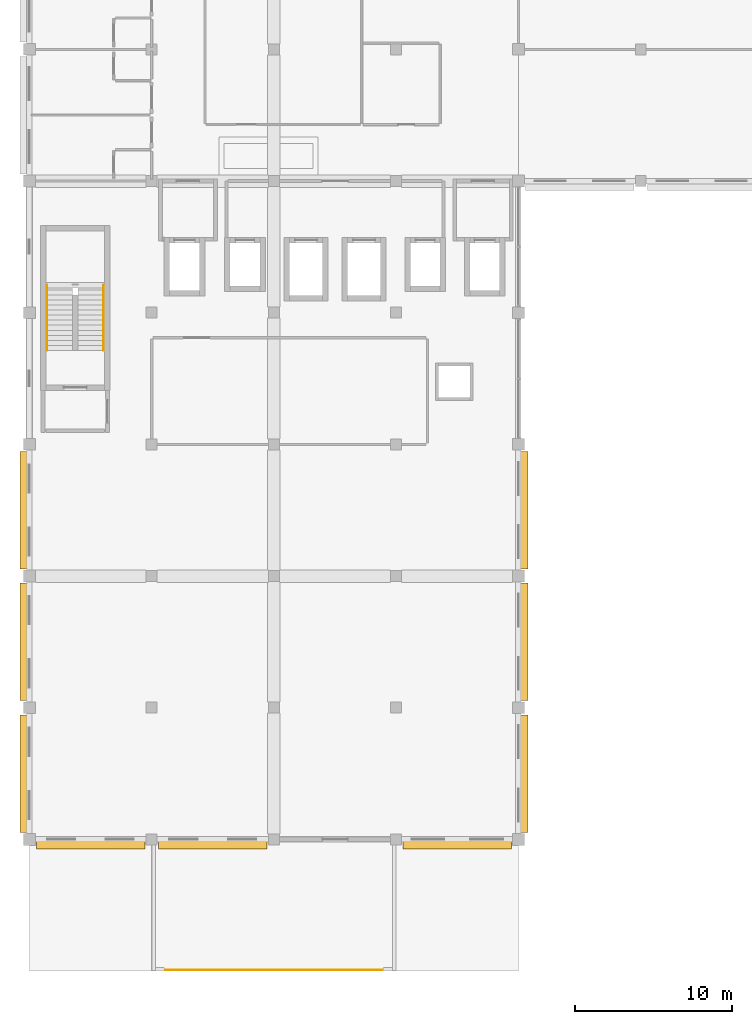
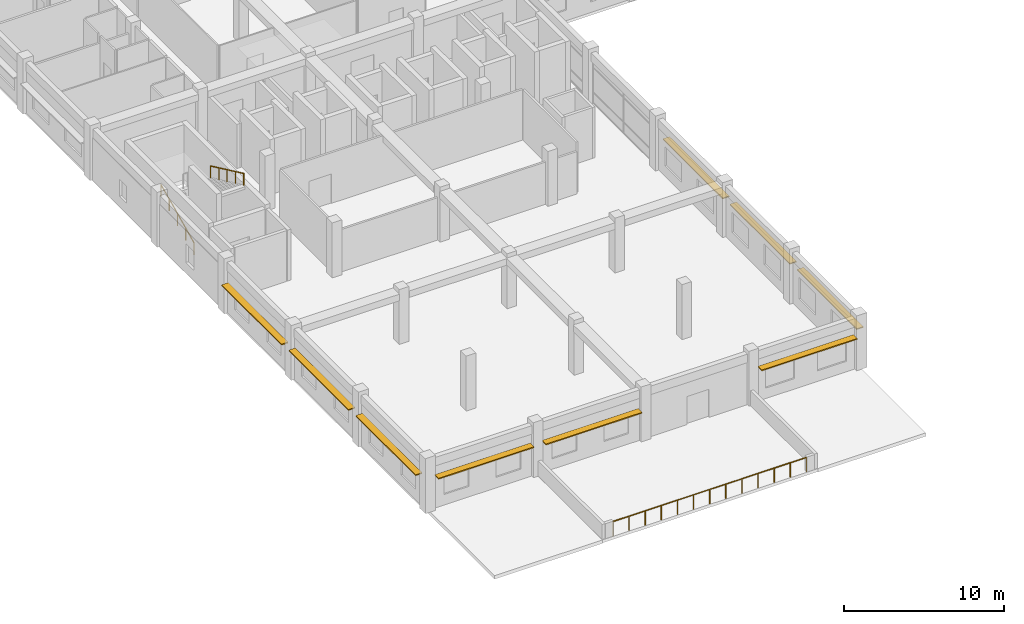
# One storey, part 45 of 53: 9 shading devices, 3 railings.
"""IFC4 building model written with IfcOpenShell, lengths in metres."""

from ifc_helpers import new_model, si_unit, direction, frame, origin, origin_2d, place, context, subcontext, project, spatial, rectangle, circle, extrude, material, layer, layer_set, type_object, element, save


model = new_model("IFC4")

# Units and contexts
model_context = context("Model", 3, precision=1e-05, world=origin(), true_north=direction((0.0, 1.0)))
body_context = subcontext(model_context, "Body", "Model", "MODEL_VIEW")
ifc_project = project(units=[si_unit("LENGTHUNIT", "METRE"), si_unit("AREAUNIT", "SQUARE_METRE"), si_unit("VOLUMEUNIT", "CUBIC_METRE"), si_unit("PLANEANGLEUNIT", "RADIAN"), si_unit("MASSUNIT", "GRAM", prefix="KILO"), si_unit("THERMODYNAMICTEMPERATUREUNIT", "KELVIN"), si_unit("POWERUNIT", "WATT")], contexts=[model_context])

# Site, building, storey
site_placement = place(None, origin())
site = spatial("IfcSite", under=ifc_project, at=site_placement, CompositionType="ELEMENT")
building_placement = place(site_placement, origin())
building = spatial("IfcBuilding", under=site, at=building_placement, Name="Srebrne Nadtorze General Hospital", CompositionType="ELEMENT")
storey_placement = place(building_placement, frame((0.0, 0.0, 18.0)))
storey = spatial("IfcBuildingStorey", under=building, at=storey_placement, Name="L04", CompositionType="ELEMENT", Elevation=18.0)

# Shading devices
ifc_material_1 = material(Name="Anodised Aluminium", Category="aluminium")
ifc_layer = layer(ifc_material_1, 0.080078125)
ifc_layer_set = layer_set([ifc_layer], Name="Anodised Aluminium")
shading_device_type = type_object("IfcShadingDeviceType", Name="Hisashi horizontal aluminium sunshade", PredefinedType="JALOUSIE", material=ifc_layer_set)
shading_device_1_placement = place(storey_placement, frame((27.3125, 8.0400390625, 2.469970703125), z_axis=(0.0, 0.0, 1.0), x_axis=(1.0, 0.0, 0.0)))
element("IfcShadingDevice", 1, at=shading_device_1_placement, inside=storey, type_object=shading_device_type, Name="Hisashi horizontal sunshade eave LV-260", PredefinedType="JALOUSIE", context=body_context, shape_type="SweptSolid", body=[
    extrude(rectangle(XDim=6.9150390625, YDim=0.47998046875, at=origin_2d()), origin(), (0.0, 0.0, 1.0), 0.080078125),
])
shading_device_2_placement = place(storey_placement, frame((35.10009765625, 8.0400390625, 2.369873046875), z_axis=(0.0, 0.0, 1.0), x_axis=(1.0, 0.0, 0.0)))
element("IfcShadingDevice", 2, at=shading_device_2_placement, inside=storey, type_object=shading_device_type, Name="Hisashi horizontal sunshade eave LV-261", PredefinedType="JALOUSIE", context=body_context, shape_type="SweptSolid", body=[
    extrude(rectangle(XDim=6.93994140625, YDim=0.47998046875, at=origin_2d()), origin(), (0.0, 0.0, 1.0), 0.080078125),
])
shading_device_3_placement = place(storey_placement, frame((50.6875, 8.0400390625, 2.570068359375), z_axis=(0.0, 0.0, 1.0), x_axis=(1.0, 0.0, 0.0)))
element("IfcShadingDevice", 3, at=shading_device_3_placement, inside=storey, type_object=shading_device_type, Name="Hisashi horizontal sunshade eave LV-262", PredefinedType="JALOUSIE", context=body_context, shape_type="SweptSolid", body=[
    extrude(rectangle(XDim=6.9150390625, YDim=0.47998046875, at=origin_2d()), origin(), (0.0, 0.0, 1.0), 0.080078125),
])
for number, where, z_axis, x_axis, name in (
    (4, (23.0400390625, 12.60009765625, 2.469970703125), (0.0, 0.0, 1.0), (1.0, 0.0, 0.0), "Hisashi horizontal sunshade eave LV-269"),
    (5, (23.0400390625, 21.0, 2.369873046875), (0.0, 0.0, 1.0), (1.0, 0.0, 0.0), "Hisashi horizontal sunshade eave LV-270"),
    (6, (23.0400390625, 29.39990234375, 2.27001953125), (0.0, 0.0, 1.0), (1.0, 0.0, 0.0), "Hisashi horizontal sunshade eave LV-271"),
    (7, (54.9599609375, 12.60009765625, 2.469970703125), (0.0, 0.0, 1.0), (1.0, 0.0, 0.0), "Hisashi horizontal sunshade eave LV-275"),
    (8, (54.9599609375, 21.0, 2.369873046875), (0.0, 0.0, 1.0), (1.0, 0.0, 0.0), "Hisashi horizontal sunshade eave LV-276"),
    (9, (54.9599609375, 29.39990234375, 2.27001953125), (0.0, 0.0, 1.0), (1.0, 0.0, 0.0), "Hisashi horizontal sunshade eave LV-277"),
):
    element("IfcShadingDevice", number, at=place(storey_placement, frame(where, z_axis=z_axis, x_axis=x_axis)), inside=storey, type_object=shading_device_type, Name=name, PredefinedType="JALOUSIE", context=body_context, shape_type="SweptSolid", body=[
        extrude(rectangle(XDim=0.47998046875, YDim=7.489990234375, at=origin_2d()), origin(), (0.0, 0.0, 1.0), 0.080078125),
    ])

# Railings
ifc_material_2 = material(Name="Stainless Steel 316", Category="steel")
railing_type_1 = type_object("IfcRailingType", Name="Perimeter safety guard 1120", PredefinedType="BALUSTRADE", material=ifc_material_2)
railing_1_placement = place(storey_placement, frame((32.0, 0.06005859375, 0.0)))
element("IfcRailing", 10, at=railing_1_placement, inside=storey, type_object=railing_type_1, Name="Terrace safety guard GR-L04-003", PredefinedType="BALUSTRADE", context=body_context, shape_type="SweptSolid", body=[
    extrude(circle(Radius=0.02392578125, at=origin_2d()), frame((0.0, 0.0, 1.09619140625), z_axis=(1.0, 0.0, 0.0), x_axis=(0.0, 1.0, 0.0)), (0.0, 0.0, 1.0), 14.0),
    extrude(circle(Radius=0.02099609375, at=origin_2d()), origin(), (0.0, 0.0, 1.0), 1.072021484375),
    extrude(circle(Radius=0.02099609375, at=origin_2d()), frame((1.166748046875, 0.0, 0.0)), (0.0, 0.0, 1.0), 1.072021484375),
    extrude(circle(Radius=0.02099609375, at=origin_2d()), frame((2.333251953125, 0.0, 0.0)), (0.0, 0.0, 1.0), 1.072021484375),
    extrude(circle(Radius=0.02099609375, at=origin_2d()), frame((3.5, 0.0, 0.0)), (0.0, 0.0, 1.0), 1.072021484375),
    extrude(circle(Radius=0.02099609375, at=origin_2d()), frame((4.666748046875, 0.0, 0.0)), (0.0, 0.0, 1.0), 1.072021484375),
    extrude(circle(Radius=0.02099609375, at=origin_2d()), frame((5.833251953125, 0.0, 0.0)), (0.0, 0.0, 1.0), 1.072021484375),
    extrude(circle(Radius=0.02099609375, at=origin_2d()), frame((7.0, 0.0, 0.0)), (0.0, 0.0, 1.0), 1.072021484375),
    extrude(circle(Radius=0.02099609375, at=origin_2d()), frame((8.166748046875, 0.0, 0.0)), (0.0, 0.0, 1.0), 1.072021484375),
    extrude(circle(Radius=0.02099609375, at=origin_2d()), frame((9.333251953125, 0.0, 0.0)), (0.0, 0.0, 1.0), 1.072021484375),
    extrude(circle(Radius=0.02099609375, at=origin_2d()), frame((10.5, 0.0, 0.0)), (0.0, 0.0, 1.0), 1.072021484375),
    extrude(circle(Radius=0.02099609375, at=origin_2d()), frame((11.666748046875, 0.0, 0.0)), (0.0, 0.0, 1.0), 1.072021484375),
    extrude(circle(Radius=0.02099609375, at=origin_2d()), frame((12.833251953125, 0.0, 0.0)), (0.0, 0.0, 1.0), 1.072021484375),
    extrude(circle(Radius=0.02099609375, at=origin_2d()), frame((14.0, 0.0, 0.0)), (0.0, 0.0, 1.0), 1.072021484375),
])
ifc_material_3 = material(Name="Stainless Steel 316", Category="steel")
railing_type_2 = type_object("IfcRailingType", Name="Tubular stainless handrail 920", PredefinedType="HANDRAIL", material=ifc_material_3)
railing_2_placement = place(storey_placement, frame((24.530029296875, 39.60009765625, 0.14990234375)))
element("IfcRailing", 11, at=railing_2_placement, inside=storey, type_object=railing_type_2, Name="Stair flight handrail ST-01-L04 F1", PredefinedType="HANDRAIL", context=body_context, shape_type="SweptSolid", body=[
    extrude(circle(Radius=0.02392578125, at=origin_2d()), frame((0.0, 0.0, 0.89599609375), z_axis=(0.0, 0.905439151359, 0.424476080818), x_axis=(-1.0, 0.0, 0.0)), (0.0, 0.0, 1.0), 4.59423828125),
    extrude(circle(Radius=0.02099609375, at=origin_2d()), origin(), (0.0, 0.0, 1.0), 0.871826171875),
    extrude(circle(Radius=0.02099609375, at=origin_2d()), frame((0.0, 1.0400390625, 0.487548828125)), (0.0, 0.0, 1.0), 0.871826171875),
    extrude(circle(Radius=0.02099609375, at=origin_2d()), frame((0.0, 2.080078125, 0.97509765625)), (0.0, 0.0, 1.0), 0.871826171875),
    extrude(circle(Radius=0.02099609375, at=origin_2d()), frame((0.0, 3.119873046875, 1.462646484375)), (0.0, 0.0, 1.0), 0.871826171875),
    extrude(circle(Radius=0.02099609375, at=origin_2d()), frame((0.0, 4.159912109375, 1.9501953125)), (0.0, 0.0, 1.0), 0.871826171875),
])
railing_3_placement = place(storey_placement, frame((28.1201171875, 43.760009765625, 2.25)))
element("IfcRailing", 12, at=railing_3_placement, inside=storey, type_object=railing_type_2, Name="Stair flight handrail ST-01-L04 F2", PredefinedType="HANDRAIL", context=body_context, shape_type="SweptSolid", body=[
    extrude(circle(Radius=0.02392578125, at=origin_2d()), frame((0.0, 0.0, 0.89599609375), z_axis=(0.0, -0.905459574153, 0.424432514746), x_axis=(1.0, 0.0, 0.0)), (0.0, 0.0, 1.0), 4.59423828125),
    extrude(circle(Radius=0.02099609375, at=origin_2d()), origin(), (0.0, 0.0, 1.0), 0.871826171875),
    extrude(circle(Radius=0.02099609375, at=origin_2d()), frame((0.0, -1.0400390625, 0.487548828125)), (0.0, 0.0, 1.0), 0.871826171875),
    extrude(circle(Radius=0.02099609375, at=origin_2d()), frame((0.0, -2.080078125, 0.97509765625)), (0.0, 0.0, 1.0), 0.871826171875),
    extrude(circle(Radius=0.02099609375, at=origin_2d()), frame((0.0, -3.119873046875, 1.46240234375)), (0.0, 0.0, 1.0), 0.871826171875),
    extrude(circle(Radius=0.02099609375, at=origin_2d()), frame((0.0, -4.159912109375, 1.949951171875)), (0.0, 0.0, 1.0), 0.871826171875),
])

save(model, "model.ifc")
